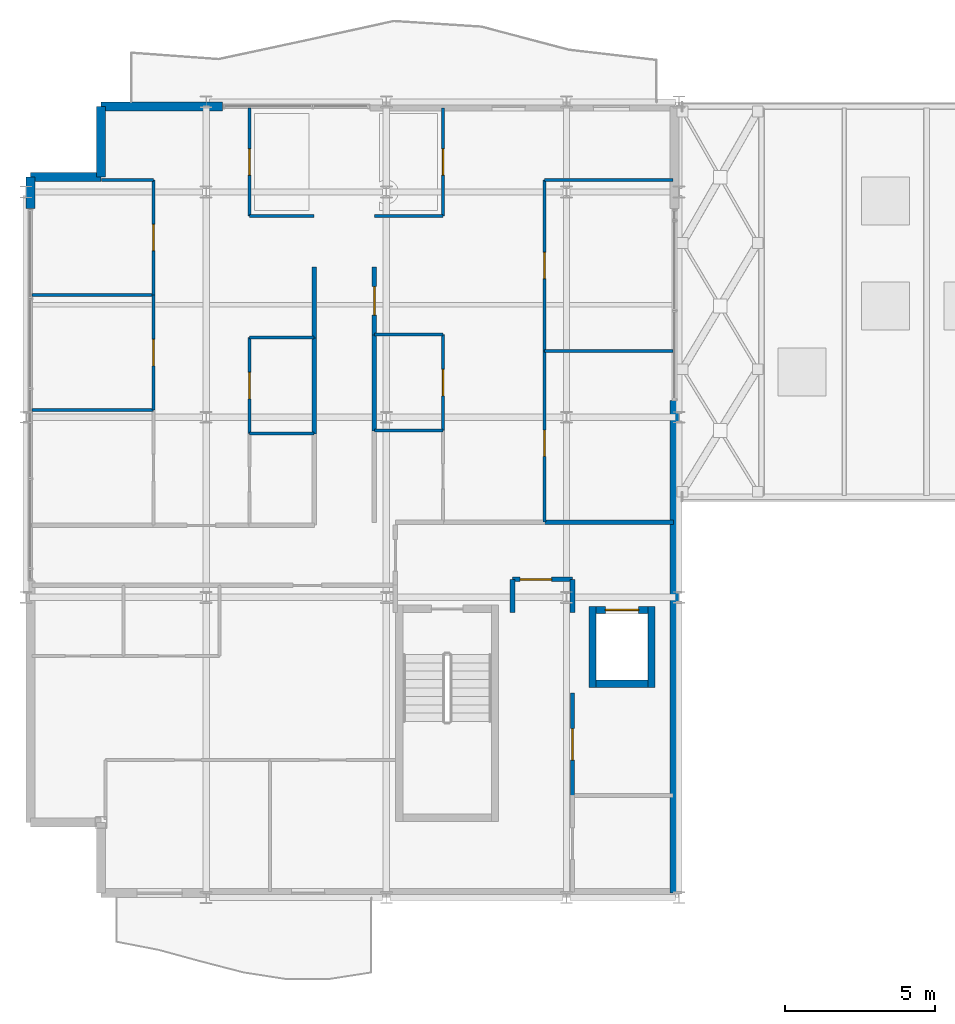
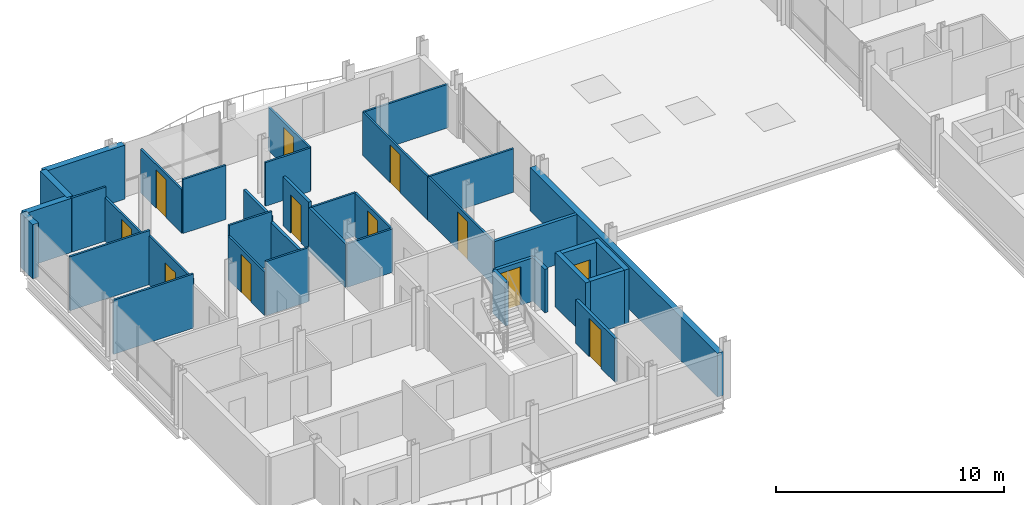
# One storey, part 28 of 33: 37 walls, 12 doors, 12 openings.
"""IFC4 building model written with IfcOpenShell, lengths in metres."""

from ifc_helpers import new_model, si_unit, direction, frame, frame_2d, origin, place, context, subcontext, project, spatial, rectangle, extrude, material, layer, layer_set, type_object, element, fill, save


model = new_model("IFC4")

# Units and contexts
model_context = context("Model", 3, precision=1e-05, world=origin(), true_north=direction((0.0, 1.0)))
body_context = subcontext(model_context, "Body", "Model", "MODEL_VIEW")
ifc_project = project(units=[si_unit("LENGTHUNIT", "METRE"), si_unit("AREAUNIT", "SQUARE_METRE"), si_unit("VOLUMEUNIT", "CUBIC_METRE"), si_unit("PLANEANGLEUNIT", "RADIAN"), si_unit("MASSUNIT", "GRAM", prefix="KILO")], contexts=[model_context])

# Site, building, storey
site_placement = place(None, origin())
site = spatial("IfcSite", under=ifc_project, at=site_placement, CompositionType="ELEMENT")
building_placement = place(site_placement, origin())
building = spatial("IfcBuilding", under=site, at=building_placement, Name="Brevholm Reach", CompositionType="ELEMENT")
storey_placement = place(building_placement, frame((0.0, 0.0, 189.39990234375)))
storey = spatial("IfcBuildingStorey", under=building, at=storey_placement, Name="L57", CompositionType="ELEMENT", Elevation=189.39990234375)

# Walls
ifc_material_1 = material(Name="Concrete C45/55", Category="concrete")
ifc_layer_1 = layer(ifc_material_1, 0.239990234375)
ifc_layer_set_1 = layer_set([ifc_layer_1], Name="Concrete C45/55")
wall_type_1 = type_object("IfcWallType", Name="WAL-COR-240", PredefinedType="SHEAR", material=ifc_layer_set_1)
for number, where, z_axis, x_axis, name in (
    (1, (18.8701171875, 7.0, 0.0), (0.0, 0.0, 1.0), (0.0, 1.0, 0.0), "L57 Lift FFL-1 Shaft Wall W"),
    (2, (20.830078125, 7.0, 0.0), (0.0, 0.0, 1.0), (0.0, 1.0, 0.0), "L57 Lift FFL-1 Shaft Wall E"),
):
    element("IfcWall", number, at=place(storey_placement, frame(where, z_axis=z_axis, x_axis=x_axis)), inside=storey, type_object=wall_type_1, Name=name, PredefinedType="SHEAR", context=body_context, shape_type="SweptSolid", body=[
        extrude(rectangle(XDim=2.699951171875, YDim=0.239990234375, at=frame_2d((1.35009765625, 0.0))), origin(), (0.0, 0.0, 1.0), 2.89013671875),
    ])
wall_1_placement = place(storey_placement, frame((18.989990234375, 7.1201171875, 0.0), z_axis=(0.0, 0.0, 1.0), x_axis=(1.0, 0.0, 0.0)))
element("IfcWall", 3, at=wall_1_placement, inside=storey, type_object=wall_type_1, Name="L57 Lift FFL-1 Shaft Wall S", PredefinedType="SHEAR", context=body_context, shape_type="SweptSolid", body=[
    extrude(rectangle(XDim=1.719970703125, YDim=0.239990234375, at=frame_2d((0.85986328125, 0.0))), origin(), (0.0, 0.0, 1.0), 2.89013671875),
])

# Wall, opening, door
wall_2_placement = place(storey_placement, frame((18.989990234375, 9.580078125, 0.0), z_axis=(0.0, 0.0, 1.0), x_axis=(1.0, 0.0, 0.0)))
wall_2 = element("IfcWall", 4, at=wall_2_placement, inside=storey, type_object=wall_type_1, Name="L57 Lift FFL-1 Shaft Wall N", PredefinedType="SHEAR", context=body_context, shape_type="SweptSolid", body=[
    extrude(rectangle(XDim=1.719970703125, YDim=0.239990234375, at=frame_2d((0.85986328125, 0.0))), origin(), (0.0, 0.0, 1.0), 2.89013671875),
])
opening_1_placement = place(wall_2_placement, frame((0.31005859375, 0.0, 0.0)))
opening_1 = element("IfcOpeningElement", 5, at=opening_1_placement, cuts=wall_2, Name="Opening LD-FFL-1", PredefinedType="OPENING", context=body_context, shape_type="SweptSolid", body=[
    extrude(rectangle(XDim=1.10009765625, YDim=2.06005859375, at=frame_2d((0.550048828125, 1.030029296875))), frame((0.0, 0.1298828125, 0.0), z_axis=(0.0, -1.0, 0.0), x_axis=(1.0, 0.0, 0.0)), (0.0, 0.0, 1.0), 0.260009765625),
])
ifc_material_2 = material(Name="Brushed Stainless Steel Fire-Rated Sliding Lift Door", Category="steel")
door_type_1 = type_object("IfcDoorType", Name="DOR-LFT-1100", OperationType="NOTDEFINED", PredefinedType="DOOR", material=ifc_material_2)
door_1_placement = place(opening_1_placement, origin())
door_1 = element("IfcDoor", 6, at=door_1_placement, inside=storey, type_object=door_type_1, Name="L57 Lift FFL-1 Sliding Landing Door", OperationType="SLIDING_TO_LEFT", OverallHeight=2.06005859375, OverallWidth=1.10009765625, PredefinedType="DOOR", context=body_context, shape_type="SweptSolid", body=[
    extrude(rectangle(XDim=1.10009765625, YDim=2.06005859375, at=frame_2d((0.550048828125, 1.030029296875))), frame((0.0, 0.02490234375, 0.0), z_axis=(0.0, -1.0, 0.0), x_axis=(1.0, 0.0, 0.0)), (0.0, 0.0, 1.0), 0.050048828125),
])
fill(opening_1, door_1)

# Walls
ifc_material_3 = material(Name="Concrete C40/50", Category="concrete")
ifc_layer_2 = layer(ifc_material_3, 0.300048828125)
ifc_layer_set_2 = layer_set([ifc_layer_2], Name="Concrete C40/50")
wall_type_2 = type_object("IfcWallType", Name="WAL-EXT-300", PredefinedType="STANDARD", material=ifc_layer_set_2)
for number, where, z_axis, x_axis, name in (
    (7, (2.5, 26.35009765625, 0.0), (0.0, 0.0, 1.0), (0.0, -1.0, 0.0), "L57 Facade Wall WAL-L57-WW-CNW1"),
    (8, (2.5, 24.0, 0.0), (0.0, 0.0, 1.0), (-1.0, 0.0, 0.0), "L57 Facade Wall WAL-L57-WW-CNW2"),
):
    element("IfcWall", number, at=place(storey_placement, frame(where, z_axis=z_axis, x_axis=x_axis)), inside=storey, type_object=wall_type_2, Name=name, PredefinedType="STANDARD", context=body_context, shape_type="SweptSolid", body=[
        extrude(rectangle(XDim=2.35009765625, YDim=0.300048828125, at=frame_2d((1.175048828125, 0.0))), origin(), (0.0, 0.0, 1.0), 2.89013671875),
    ])
wall_3_placement = place(storey_placement, frame((0.14990234375, 24.0, 0.0), z_axis=(0.0, 0.0, 1.0), x_axis=(0.0, -1.0, 0.0)))
element("IfcWall", 9, at=wall_3_placement, inside=storey, type_object=wall_type_2, Name="L57 Facade Wall WAL-L57-WW-WN", PredefinedType="STANDARD", context=body_context, shape_type="SweptSolid", body=[
    extrude(rectangle(XDim=1.050048828125, YDim=0.300048828125, at=frame_2d((0.52490234375, 0.0))), origin(), (0.0, 0.0, 1.0), 2.89013671875),
])
wall_4_placement = place(storey_placement, frame((2.5, 26.35009765625, 0.0), z_axis=(0.0, 0.0, 1.0), x_axis=(1.0, 0.0, 0.0)))
element("IfcWall", 10, at=wall_4_placement, inside=storey, type_object=wall_type_2, Name="L57 Facade Wall WAL-L57-WW-NP1", PredefinedType="STANDARD", context=body_context, shape_type="SweptSolid", body=[
    extrude(rectangle(XDim=4.050048828125, YDim=0.300048828125, at=frame_2d((2.02490234375, 0.0))), origin(), (0.0, 0.0, 1.0), 2.89013671875),
])
wall_5_placement = place(storey_placement, frame((21.60009765625, 0.14990234375, 0.0), z_axis=(0.0, 0.0, 1.0), x_axis=(0.0, 1.0, 0.0)))
element("IfcWall", 11, at=wall_5_placement, inside=storey, type_object=wall_type_2, Name="L57 Facade Wall WAL-L57-VP-WS", PredefinedType="STANDARD", context=body_context, shape_type="SweptSolid", body=[
    extrude(rectangle(XDim=16.400146484375, YDim=0.300048828125, at=frame_2d((8.2001953125, 0.0))), origin(), (0.0, 0.0, 1.0), 2.33203125),
])
ifc_material_4 = material(Name="Moisture-Resistant Acoustic Gypsum Stud Partition 100 mm", Category="gypsum")
ifc_layer_3 = layer(ifc_material_4, 0.10009765625)
ifc_layer_set_3 = layer_set([ifc_layer_3], Name="Moisture-Resistant Acoustic Gypsum Stud Partition 100 mm")
wall_type_3 = type_object("IfcWallType", Name="WAL-PRT-100", PredefinedType="PARTITIONING", material=ifc_layer_set_3)
for number, where, z_axis, x_axis, name in (
    (12, (7.43798828125, 15.449951171875, 0.0), (0.0, 0.0, 1.0), (1.0, 0.0, 0.0), "L57 Internal Partition 048"),
    (13, (7.43798828125, 18.64990234375, 0.0), (0.0, 0.0, 1.0), (1.0, 0.0, 0.0), "L57 Internal Partition 050"),
):
    element("IfcWall", number, at=place(storey_placement, frame(where, z_axis=z_axis, x_axis=x_axis)), inside=storey, type_object=wall_type_3, Name=name, PredefinedType="PARTITIONING", context=body_context, shape_type="SweptSolid", body=[
        extrude(rectangle(XDim=2.157958984375, YDim=0.10009765625, at=frame_2d((1.0791015625, 0.0))), origin(), (0.0, 0.0, 1.0), 2.89013671875),
    ])

# Wall, opening, door
wall_6_placement = place(storey_placement, frame((7.43798828125, 15.4541015625, 0.0), z_axis=(0.0, 0.0, 1.0), x_axis=(0.0, 1.0, 0.0)))
wall_6 = element("IfcWall", 14, at=wall_6_placement, inside=storey, type_object=wall_type_3, Name="L57 Internal Partition 051", PredefinedType="PARTITIONING", context=body_context, shape_type="SweptSolid", body=[
    extrude(rectangle(XDim=3.19580078125, YDim=0.10009765625, at=frame_2d((1.597900390625, 0.0))), origin(), (0.0, 0.0, 1.0), 2.32568359375),
])
opening_2_placement = place(wall_6_placement, frame((1.157958984375, 0.0, 0.0)))
opening_2 = element("IfcOpeningElement", 15, at=opening_2_placement, cuts=wall_6, Name="Opening ID-01", PredefinedType="OPENING", context=body_context, shape_type="SweptSolid", body=[
    extrude(rectangle(XDim=0.8798828125, YDim=2.0400390625, at=frame_2d((0.43994140625, 1.02001953125))), frame((0.0, 0.06005859375, 0.0), z_axis=(0.0, -1.0, 0.0), x_axis=(1.0, 0.0, 0.0)), (0.0, 0.0, 1.0), 0.1201171875),
])
ifc_material_5 = material(Name="Lacquered Ash Solid-Core Acoustic Internal Door", Category="timber")
door_type_2 = type_object("IfcDoorType", Name="DOR-INT-880", OperationType="NOTDEFINED", PredefinedType="DOOR", material=ifc_material_5)
door_2_placement = place(opening_2_placement, origin())
door_2 = element("IfcDoor", 16, at=door_2_placement, inside=storey, type_object=door_type_2, Name="L57 Internal Door 021", OperationType="SINGLE_SWING_LEFT", OverallHeight=2.0400390625, OverallWidth=0.8798828125, PredefinedType="DOOR", context=body_context, shape_type="SweptSolid", body=[
    extrude(rectangle(XDim=0.8798828125, YDim=2.0400390625, at=frame_2d((0.43994140625, 1.02001953125))), frame((0.0, 0.02490234375, 0.0), z_axis=(0.0, -1.0, 0.0), x_axis=(1.0, 0.0, 0.0)), (0.0, 0.0, 1.0), 0.050048828125),
])
fill(opening_2, door_2)

# Wall
wall_7_placement = place(storey_placement, frame((7.43798828125, 22.699951171875, 0.0), z_axis=(0.0, 0.0, 1.0), x_axis=(1.0, 0.0, 0.0)))
element("IfcWall", 17, at=wall_7_placement, inside=storey, type_object=wall_type_3, Name="L57 Internal Partition 052", PredefinedType="PARTITIONING", context=body_context, shape_type="SweptSolid", body=[
    extrude(rectangle(XDim=2.162109375, YDim=0.10009765625, at=frame_2d((1.0810546875, 0.0))), origin(), (0.0, 0.0, 1.0), 2.89013671875),
])

# Wall, opening, door
wall_8_placement = place(storey_placement, frame((7.43798828125, 22.699951171875, 0.0), z_axis=(0.0, 0.0, 1.0), x_axis=(0.0, 1.0, 0.0)))
wall_8 = element("IfcWall", 18, at=wall_8_placement, inside=storey, type_object=wall_type_3, Name="L57 Internal Partition 053", PredefinedType="PARTITIONING", context=body_context, shape_type="SweptSolid", body=[
    extrude(rectangle(XDim=3.60009765625, YDim=0.10009765625, at=frame_2d((1.800048828125, 0.0))), origin(), (0.0, 0.0, 1.0), 2.32568359375),
])
opening_3_placement = place(wall_8_placement, frame((1.360107421875, 0.0, 0.0)))
opening_3 = element("IfcOpeningElement", 19, at=opening_3_placement, cuts=wall_8, Name="Opening ID-01", PredefinedType="OPENING", context=body_context, shape_type="SweptSolid", body=[
    extrude(rectangle(XDim=0.8798828125, YDim=2.0400390625, at=frame_2d((0.43994140625, 1.02001953125))), frame((0.0, 0.06005859375, 0.0), z_axis=(0.0, -1.0, 0.0), x_axis=(1.0, 0.0, 0.0)), (0.0, 0.0, 1.0), 0.1201171875),
])
door_3_placement = place(opening_3_placement, origin())
door_3 = element("IfcDoor", 20, at=door_3_placement, inside=storey, type_object=door_type_2, Name="L57 Internal Door 022", OperationType="SINGLE_SWING_RIGHT", OverallHeight=2.0400390625, OverallWidth=0.8798828125, PredefinedType="DOOR", context=body_context, shape_type="SweptSolid", body=[
    extrude(rectangle(XDim=0.8798828125, YDim=2.0400390625, at=frame_2d((0.43994140625, 1.02001953125))), frame((0.0, 0.02490234375, 0.0), z_axis=(0.0, -1.0, 0.0), x_axis=(1.0, 0.0, 0.0)), (0.0, 0.0, 1.0), 0.050048828125),
])
fill(opening_3, door_3)

# Walls
for number, where, z_axis, x_axis, name in (
    (21, (0.199951171875, 16.23291015625, 0.0), (0.0, 0.0, 1.0), (1.0, 0.0, 0.0), "L57 Internal Partition 054"),
    (22, (0.199951171875, 20.06591796875, 0.0), (0.0, 0.0, 1.0), (1.0, 0.0, 0.0), "L57 Internal Partition 056"),
):
    element("IfcWall", number, at=place(storey_placement, frame(where, z_axis=z_axis, x_axis=x_axis)), inside=storey, type_object=wall_type_3, Name=name, PredefinedType="PARTITIONING", context=body_context, shape_type="SweptSolid", body=[
        extrude(rectangle(XDim=4.0419921875, YDim=0.10009765625, at=frame_2d((2.02099609375, 0.0))), origin(), (0.0, 0.0, 1.0), 2.89013671875),
    ])

# Wall, opening, door
wall_9_placement = place(storey_placement, frame((4.241943359375, 16.237060546875, 0.0), z_axis=(0.0, 0.0, 1.0), x_axis=(0.0, 1.0, 0.0)))
wall_9 = element("IfcWall", 23, at=wall_9_placement, inside=storey, type_object=wall_type_3, Name="L57 Internal Partition 057", PredefinedType="PARTITIONING", context=body_context, shape_type="SweptSolid", body=[
    extrude(rectangle(XDim=3.828857421875, YDim=0.10009765625, at=frame_2d((1.91455078125, 0.0))), origin(), (0.0, 0.0, 1.0), 2.61376953125),
])
opening_4_placement = place(wall_9_placement, frame((1.474609375, 0.0, 0.0)))
opening_4 = element("IfcOpeningElement", 24, at=opening_4_placement, cuts=wall_9, Name="Opening ID-01", PredefinedType="OPENING", context=body_context, shape_type="SweptSolid", body=[
    extrude(rectangle(XDim=0.8798828125, YDim=2.0400390625, at=frame_2d((0.43994140625, 1.02001953125))), frame((0.0, 0.06005859375, 0.0), z_axis=(0.0, -1.0, 0.0), x_axis=(1.0, 0.0, 0.0)), (0.0, 0.0, 1.0), 0.1201171875),
])
door_4_placement = place(opening_4_placement, origin())
door_4 = element("IfcDoor", 25, at=door_4_placement, inside=storey, type_object=door_type_2, Name="L57 Internal Door 024", OperationType="SINGLE_SWING_RIGHT", OverallHeight=2.0400390625, OverallWidth=0.8798828125, PredefinedType="DOOR", context=body_context, shape_type="SweptSolid", body=[
    extrude(rectangle(XDim=0.8798828125, YDim=2.0400390625, at=frame_2d((0.43994140625, 1.02001953125))), frame((0.0, 0.02490234375, 0.0), z_axis=(0.0, -1.0, 0.0), x_axis=(1.0, 0.0, 0.0)), (0.0, 0.0, 1.0), 0.050048828125),
])
fill(opening_4, door_4)

# Wall
wall_10_placement = place(storey_placement, frame((2.52001953125, 23.89892578125, 0.0), z_axis=(0.0, 0.0, 1.0), x_axis=(1.0, 0.0, 0.0)))
element("IfcWall", 26, at=wall_10_placement, inside=storey, type_object=wall_type_3, Name="L57 Internal Partition 058", PredefinedType="PARTITIONING", context=body_context, shape_type="SweptSolid", body=[
    extrude(rectangle(XDim=1.721923828125, YDim=0.10009765625, at=frame_2d((0.86083984375, 0.0))), origin(), (0.0, 0.0, 1.0), 2.89013671875),
])

# Wall, opening, door
wall_11_placement = place(storey_placement, frame((4.241943359375, 20.070068359375, 0.0), z_axis=(0.0, 0.0, 1.0), x_axis=(0.0, 1.0, 0.0)))
wall_11 = element("IfcWall", 27, at=wall_11_placement, inside=storey, type_object=wall_type_3, Name="L57 Internal Partition 059", PredefinedType="PARTITIONING", context=body_context, shape_type="SweptSolid", body=[
    extrude(rectangle(XDim=3.828857421875, YDim=0.10009765625, at=frame_2d((1.91455078125, 0.0))), origin(), (0.0, 0.0, 1.0), 2.32568359375),
])
opening_5_placement = place(wall_11_placement, frame((1.474609375, 0.0, 0.0)))
opening_5 = element("IfcOpeningElement", 28, at=opening_5_placement, cuts=wall_11, Name="Opening ID-01", PredefinedType="OPENING", context=body_context, shape_type="SweptSolid", body=[
    extrude(rectangle(XDim=0.8798828125, YDim=2.0400390625, at=frame_2d((0.43994140625, 1.02001953125))), frame((0.0, 0.06005859375, 0.0), z_axis=(0.0, -1.0, 0.0), x_axis=(1.0, 0.0, 0.0)), (0.0, 0.0, 1.0), 0.1201171875),
])
door_5_placement = place(opening_5_placement, origin())
door_5 = element("IfcDoor", 29, at=door_5_placement, inside=storey, type_object=door_type_2, Name="L57 Internal Door 025", OperationType="SINGLE_SWING_LEFT", OverallHeight=2.0400390625, OverallWidth=0.8798828125, PredefinedType="DOOR", context=body_context, shape_type="SweptSolid", body=[
    extrude(rectangle(XDim=0.8798828125, YDim=2.0400390625, at=frame_2d((0.43994140625, 1.02001953125))), frame((0.0, 0.02490234375, 0.0), z_axis=(0.0, -1.0, 0.0), x_axis=(1.0, 0.0, 0.0)), (0.0, 0.0, 1.0), 0.050048828125),
])
fill(opening_5, door_5)

# Wall
wall_12_placement = place(storey_placement, frame((11.60400390625, 15.550048828125, 0.0), z_axis=(0.0, 0.0, 1.0), x_axis=(1.0, 0.0, 0.0)))
element("IfcWall", 30, at=wall_12_placement, inside=storey, type_object=wall_type_3, Name="L57 Internal Partition 060", PredefinedType="PARTITIONING", context=body_context, shape_type="SweptSolid", body=[
    extrude(rectangle(XDim=2.284912109375, YDim=0.10009765625, at=frame_2d((1.142578125, 0.0))), origin(), (0.0, 0.0, 1.0), 2.32568359375),
])

# Wall, opening, door
wall_13_placement = place(storey_placement, frame((13.888916015625, 15.553955078125, 0.0), z_axis=(0.0, 0.0, 1.0), x_axis=(0.0, 1.0, 0.0)))
wall_13 = element("IfcWall", 31, at=wall_13_placement, inside=storey, type_object=wall_type_3, Name="L57 Internal Partition 062", PredefinedType="PARTITIONING", context=body_context, shape_type="SweptSolid", body=[
    extrude(rectangle(XDim=3.196044921875, YDim=0.10009765625, at=frame_2d((1.59814453125, 0.0))), origin(), (0.0, 0.0, 1.0), 2.32568359375),
])
opening_6_placement = place(wall_13_placement, frame((1.157958984375, 0.0, 0.0)))
opening_6 = element("IfcOpeningElement", 32, at=opening_6_placement, cuts=wall_13, Name="Opening ID-01", PredefinedType="OPENING", context=body_context, shape_type="SweptSolid", body=[
    extrude(rectangle(XDim=0.8798828125, YDim=2.0400390625, at=frame_2d((0.43994140625, 1.02001953125))), frame((0.0, 0.06005859375, 0.0), z_axis=(0.0, -1.0, 0.0), x_axis=(1.0, 0.0, 0.0)), (0.0, 0.0, 1.0), 0.1201171875),
])
door_6_placement = place(opening_6_placement, origin())
door_6 = element("IfcDoor", 33, at=door_6_placement, inside=storey, type_object=door_type_2, Name="L57 Internal Door 027", OperationType="SINGLE_SWING_LEFT", OverallHeight=2.0400390625, OverallWidth=0.8798828125, PredefinedType="DOOR", context=body_context, shape_type="SweptSolid", body=[
    extrude(rectangle(XDim=0.8798828125, YDim=2.0400390625, at=frame_2d((0.43994140625, 1.02001953125))), frame((0.0, 0.02490234375, 0.0), z_axis=(0.0, -1.0, 0.0), x_axis=(1.0, 0.0, 0.0)), (0.0, 0.0, 1.0), 0.050048828125),
])
fill(opening_6, door_6)

# Walls
wall_14_placement = place(storey_placement, frame((11.60400390625, 18.75, 0.0), z_axis=(0.0, 0.0, 1.0), x_axis=(1.0, 0.0, 0.0)))
element("IfcWall", 34, at=wall_14_placement, inside=storey, type_object=wall_type_3, Name="L57 Internal Partition 063", PredefinedType="PARTITIONING", context=body_context, shape_type="SweptSolid", body=[
    extrude(rectangle(XDim=2.284912109375, YDim=0.10009765625, at=frame_2d((1.142578125, 0.0))), origin(), (0.0, 0.0, 1.0), 2.32568359375),
])
wall_15_placement = place(storey_placement, frame((11.60009765625, 22.699951171875, 0.0), z_axis=(0.0, 0.0, 1.0), x_axis=(1.0, 0.0, 0.0)))
element("IfcWall", 35, at=wall_15_placement, inside=storey, type_object=wall_type_3, Name="L57 Internal Partition 064", PredefinedType="PARTITIONING", context=body_context, shape_type="SweptSolid", body=[
    extrude(rectangle(XDim=2.288818359375, YDim=0.10009765625, at=frame_2d((1.14453125, 0.0))), origin(), (0.0, 0.0, 1.0), 2.32568359375),
])

# Wall, opening, door
wall_16_placement = place(storey_placement, frame((13.888916015625, 22.699951171875, 0.0), z_axis=(0.0, 0.0, 1.0), x_axis=(0.0, 1.0, 0.0)))
wall_16 = element("IfcWall", 36, at=wall_16_placement, inside=storey, type_object=wall_type_3, Name="L57 Internal Partition 065", PredefinedType="PARTITIONING", context=body_context, shape_type="SweptSolid", body=[
    extrude(rectangle(XDim=3.60009765625, YDim=0.10009765625, at=frame_2d((1.800048828125, 0.0))), origin(), (0.0, 0.0, 1.0), 2.32568359375),
])
opening_7_placement = place(wall_16_placement, frame((1.360107421875, 0.0, 0.0)))
opening_7 = element("IfcOpeningElement", 37, at=opening_7_placement, cuts=wall_16, Name="Opening ID-01", PredefinedType="OPENING", context=body_context, shape_type="SweptSolid", body=[
    extrude(rectangle(XDim=0.8798828125, YDim=2.0400390625, at=frame_2d((0.43994140625, 1.02001953125))), frame((0.0, 0.06005859375, 0.0), z_axis=(0.0, -1.0, 0.0), x_axis=(1.0, 0.0, 0.0)), (0.0, 0.0, 1.0), 0.1201171875),
])
door_7_placement = place(opening_7_placement, origin())
door_7 = element("IfcDoor", 38, at=door_7_placement, inside=storey, type_object=door_type_2, Name="L57 Internal Door 028", OperationType="SINGLE_SWING_RIGHT", OverallHeight=2.0400390625, OverallWidth=0.8798828125, PredefinedType="DOOR", context=body_context, shape_type="SweptSolid", body=[
    extrude(rectangle(XDim=0.8798828125, YDim=2.0400390625, at=frame_2d((0.43994140625, 1.02001953125))), frame((0.0, 0.02490234375, 0.0), z_axis=(0.0, -1.0, 0.0), x_axis=(1.0, 0.0, 0.0)), (0.0, 0.0, 1.0), 0.050048828125),
])
fill(opening_7, door_7)

# Wall
wall_17_placement = place(storey_placement, frame((17.27099609375, 18.199951171875, 0.0), z_axis=(0.0, 0.0, 1.0), x_axis=(1.0, 0.0, 0.0)))
element("IfcWall", 39, at=wall_17_placement, inside=storey, type_object=wall_type_3, Name="L57 Internal Partition 066", PredefinedType="PARTITIONING", context=body_context, shape_type="SweptSolid", body=[
    extrude(rectangle(XDim=4.279052734375, YDim=0.10009765625, at=frame_2d((2.1396484375, 0.0))), origin(), (0.0, 0.0, 1.0), 2.32568359375),
])

# Wall, opening, door
wall_18_placement = place(storey_placement, frame((17.27099609375, 12.50390625, 0.0), z_axis=(0.0, 0.0, 1.0), x_axis=(0.0, 1.0, 0.0)))
wall_18 = element("IfcWall", 40, at=wall_18_placement, inside=storey, type_object=wall_type_3, Name="L57 Internal Partition 067", PredefinedType="PARTITIONING", context=body_context, shape_type="SweptSolid", body=[
    extrude(rectangle(XDim=5.696044921875, YDim=0.10009765625, at=frame_2d((2.84814453125, 0.0))), origin(), (0.0, 0.0, 1.0), 2.32568359375),
])
opening_8_placement = place(wall_18_placement, frame((2.18798828125, 0.0, 0.0)))
opening_8 = element("IfcOpeningElement", 41, at=opening_8_placement, cuts=wall_18, Name="Opening ID-01", PredefinedType="OPENING", context=body_context, shape_type="SweptSolid", body=[
    extrude(rectangle(XDim=0.8798828125, YDim=2.0400390625, at=frame_2d((0.43994140625, 1.02001953125))), frame((0.0, 0.06005859375, 0.0), z_axis=(0.0, -1.0, 0.0), x_axis=(1.0, 0.0, 0.0)), (0.0, 0.0, 1.0), 0.1201171875),
])
door_8_placement = place(opening_8_placement, origin())
door_8 = element("IfcDoor", 42, at=door_8_placement, inside=storey, type_object=door_type_2, Name="L57 Internal Door 029", OperationType="SINGLE_SWING_LEFT", OverallHeight=2.0400390625, OverallWidth=0.8798828125, PredefinedType="DOOR", context=body_context, shape_type="SweptSolid", body=[
    extrude(rectangle(XDim=0.8798828125, YDim=2.0400390625, at=frame_2d((0.43994140625, 1.02001953125))), frame((0.0, 0.02490234375, 0.0), z_axis=(0.0, -1.0, 0.0), x_axis=(1.0, 0.0, 0.0)), (0.0, 0.0, 1.0), 0.050048828125),
])
fill(opening_8, door_8)

# Wall
wall_19_placement = place(storey_placement, frame((17.27099609375, 23.89990234375, 0.0), z_axis=(0.0, 0.0, 1.0), x_axis=(1.0, 0.0, 0.0)))
element("IfcWall", 43, at=wall_19_placement, inside=storey, type_object=wall_type_3, Name="L57 Internal Partition 068", PredefinedType="PARTITIONING", context=body_context, shape_type="SweptSolid", body=[
    extrude(rectangle(XDim=4.279052734375, YDim=0.10009765625, at=frame_2d((2.1396484375, 0.0))), origin(), (0.0, 0.0, 1.0), 2.32568359375),
])

# Wall, opening, door
wall_20_placement = place(storey_placement, frame((17.27099609375, 18.2041015625, 0.0), z_axis=(0.0, 0.0, 1.0), x_axis=(0.0, 1.0, 0.0)))
wall_20 = element("IfcWall", 44, at=wall_20_placement, inside=storey, type_object=wall_type_3, Name="L57 Internal Partition 069", PredefinedType="PARTITIONING", context=body_context, shape_type="SweptSolid", body=[
    extrude(rectangle(XDim=5.69580078125, YDim=0.10009765625, at=frame_2d((2.847900390625, 0.0))), origin(), (0.0, 0.0, 1.0), 2.32568359375),
])
opening_9_placement = place(wall_20_placement, frame((2.407958984375, 0.0, 0.0)))
opening_9 = element("IfcOpeningElement", 45, at=opening_9_placement, cuts=wall_20, Name="Opening ID-01", PredefinedType="OPENING", context=body_context, shape_type="SweptSolid", body=[
    extrude(rectangle(XDim=0.8798828125, YDim=2.0400390625, at=frame_2d((0.43994140625, 1.02001953125))), frame((0.0, 0.06005859375, 0.0), z_axis=(0.0, -1.0, 0.0), x_axis=(1.0, 0.0, 0.0)), (0.0, 0.0, 1.0), 0.1201171875),
])
door_9_placement = place(opening_9_placement, origin())
door_9 = element("IfcDoor", 46, at=door_9_placement, inside=storey, type_object=door_type_2, Name="L57 Internal Door 030", OperationType="SINGLE_SWING_RIGHT", OverallHeight=2.0400390625, OverallWidth=0.8798828125, PredefinedType="DOOR", context=body_context, shape_type="SweptSolid", body=[
    extrude(rectangle(XDim=0.8798828125, YDim=2.0400390625, at=frame_2d((0.43994140625, 1.02001953125))), frame((0.0, 0.02490234375, 0.0), z_axis=(0.0, -1.0, 0.0), x_axis=(1.0, 0.0, 0.0)), (0.0, 0.0, 1.0), 0.050048828125),
])
fill(opening_9, door_9)

ifc_material_6 = material(Name="Twin-Stud Acoustic Fire-Rated Gypsum Partition 140 mm", Category="gypsum")
ifc_layer_4 = layer(ifc_material_6, 0.139892578125)
ifc_layer_set_4 = layer_set([ifc_layer_4], Name="Twin-Stud Acoustic Fire-Rated Gypsum Partition 140 mm")
wall_type_4 = type_object("IfcWallType", Name="WAL-PRT-140", PredefinedType="PARTITIONING", material=ifc_layer_set_4)
wall_21_placement = place(storey_placement, frame((18.199951171875, 3.392578125, 0.0), z_axis=(0.0, 0.0, 1.0), x_axis=(0.0, 1.0, 0.0)))
wall_21 = element("IfcWall", 47, at=wall_21_placement, inside=storey, type_object=wall_type_4, Name="L57 Internal Partition 002", PredefinedType="PARTITIONING", context=body_context, shape_type="SweptSolid", body=[
    extrude(rectangle(XDim=3.418701171875, YDim=0.139892578125, at=frame_2d((1.70947265625, 0.0))), origin(), (0.0, 0.0, 1.0), 2.32568359375),
])
opening_10_placement = place(wall_21_placement, frame((1.184326171875, 0.0, 0.0)))
opening_10 = element("IfcOpeningElement", 48, at=opening_10_placement, cuts=wall_21, Name="Opening FD-01", PredefinedType="OPENING", context=body_context, shape_type="SweptSolid", body=[
    extrude(rectangle(XDim=1.050048828125, YDim=2.06005859375, at=frame_2d((0.52490234375, 1.030029296875))), frame((0.0, 0.079833984375, 0.0), z_axis=(0.0, -1.0, 0.0), x_axis=(1.0, 0.0, 0.0)), (0.0, 0.0, 1.0), 0.159912109375),
])
ifc_material_7 = material(Name="Hardwood-Lipped Steel-Core Fire and Smoke Door", Category="steel")
door_type_3 = type_object("IfcDoorType", Name="DOR-INT-FD60S", OperationType="NOTDEFINED", PredefinedType="DOOR", material=ifc_material_7)
door_10_placement = place(opening_10_placement, origin())
door_10 = element("IfcDoor", 49, at=door_10_placement, inside=storey, type_object=door_type_3, Name="L57 Internal Door 002", OperationType="SINGLE_SWING_RIGHT", OverallHeight=2.06005859375, OverallWidth=1.050048828125, PredefinedType="DOOR", context=body_context, shape_type="SweptSolid", body=[
    extrude(rectangle(XDim=1.050048828125, YDim=2.06005859375, at=frame_2d((0.52490234375, 1.030029296875))), frame((0.0, 0.02490234375, 0.0), z_axis=(0.0, -1.0, 0.0), x_axis=(1.0, 0.0, 0.0)), (0.0, 0.0, 1.0), 0.050048828125),
])
fill(opening_10, door_10)

# Walls
wall_22_placement = place(storey_placement, frame((9.60009765625, 15.442626953125, 0.0), z_axis=(0.0, 0.0, 1.0), x_axis=(0.0, 1.0, 0.0)))
element("IfcWall", 50, at=wall_22_placement, inside=storey, type_object=wall_type_4, Name="L57 Internal Partition 025", PredefinedType="PARTITIONING", context=body_context, shape_type="SweptSolid", body=[
    extrude(rectangle(XDim=3.21875, YDim=0.139892578125, at=frame_2d((1.609375, 0.0))), origin(), (0.0, 0.0, 1.0), 2.32568359375),
])
wall_23_placement = place(storey_placement, frame((9.60009765625, 18.642578125, 0.0), z_axis=(0.0, 0.0, 1.0), x_axis=(0.0, 1.0, 0.0)))
element("IfcWall", 51, at=wall_23_placement, inside=storey, type_object=wall_type_4, Name="L57 Internal Partition 026", PredefinedType="PARTITIONING", context=body_context, shape_type="SweptSolid", body=[
    extrude(rectangle(XDim=2.357421875, YDim=0.139892578125, at=frame_2d((1.1787109375, 0.0))), origin(), (0.0, 0.0, 1.0), 2.61376953125),
])
wall_24_placement = place(storey_placement, frame((11.60009765625, 15.542724609375, 0.0), z_axis=(0.0, 0.0, 1.0), x_axis=(0.0, 1.0, 0.0)))
element("IfcWall", 52, at=wall_24_placement, inside=storey, type_object=wall_type_4, Name="L57 Internal Partition 028", PredefinedType="PARTITIONING", context=body_context, shape_type="SweptSolid", body=[
    extrude(rectangle(XDim=3.218505859375, YDim=0.139892578125, at=frame_2d((1.609375, 0.0))), origin(), (0.0, 0.0, 1.0), 2.32568359375),
])

# Wall, opening, door
wall_25_placement = place(storey_placement, frame((11.60009765625, 18.74267578125, 0.0), z_axis=(0.0, 0.0, 1.0), x_axis=(0.0, 1.0, 0.0)))
wall_25 = element("IfcWall", 53, at=wall_25_placement, inside=storey, type_object=wall_type_4, Name="L57 Internal Partition 029", PredefinedType="PARTITIONING", context=body_context, shape_type="SweptSolid", body=[
    extrude(rectangle(XDim=2.25732421875, YDim=0.139892578125, at=frame_2d((1.128662109375, 0.0))), origin(), (0.0, 0.0, 1.0), 2.61376953125),
])
opening_11_placement = place(wall_25_placement, frame((0.65380859375, 0.0, 0.0)))
opening_11 = element("IfcOpeningElement", 54, at=opening_11_placement, cuts=wall_25, Name="Opening ID-30", PredefinedType="OPENING", context=body_context, shape_type="SweptSolid", body=[
    extrude(rectangle(XDim=0.949951171875, YDim=2.050048828125, at=frame_2d((0.47509765625, 1.02490234375))), frame((0.0, 0.079833984375, 0.0), z_axis=(0.0, -1.0, 0.0), x_axis=(1.0, 0.0, 0.0)), (0.0, 0.0, 1.0), 0.159912109375),
])
ifc_material_8 = material(Name="European Oak Veneered Solid-Core Fire Entrance Door", Category="timber")
door_type_4 = type_object("IfcDoorType", Name="DOR-FLT-FD30S", OperationType="NOTDEFINED", PredefinedType="DOOR", material=ifc_material_8)
door_11_placement = place(opening_11_placement, origin())
door_11 = element("IfcDoor", 55, at=door_11_placement, inside=storey, type_object=door_type_4, Name="L57 Internal Door 011", OperationType="SINGLE_SWING_LEFT", OverallHeight=2.050048828125, OverallWidth=0.949951171875, PredefinedType="DOOR", context=body_context, shape_type="SweptSolid", body=[
    extrude(rectangle(XDim=0.949951171875, YDim=2.050048828125, at=frame_2d((0.47509765625, 1.02490234375))), frame((0.0, 0.02490234375, 0.0), z_axis=(0.0, -1.0, 0.0), x_axis=(1.0, 0.0, 0.0)), (0.0, 0.0, 1.0), 0.050048828125),
])
fill(opening_11, door_11)

# Walls
ifc_material_9 = material(Name="Twin-Frame Fire-Rated Gypsum Board and Mineral Wool 160 mm", Category="gypsum")
ifc_layer_5 = layer(ifc_material_9, 0.159912109375)
ifc_layer_set_5 = layer_set([ifc_layer_5], Name="Twin-Frame Fire-Rated Gypsum Board and Mineral Wool 160 mm")
wall_type_5 = type_object("IfcWallType", Name="WAL-PRT-160", PredefinedType="PARTITIONING", material=ifc_layer_set_5)
for number, where, z_axis, x_axis, name in (
    (56, (16.199951171875, 9.48876953125, 0.0), (0.0, 0.0, 1.0), (0.0, 1.0, 0.0), "L57 Internal Partition 003"),
    (57, (18.199951171875, 9.48876953125, 0.0), (0.0, 0.0, 1.0), (0.0, 1.0, 0.0), "L57 Internal Partition 004"),
):
    element("IfcWall", number, at=place(storey_placement, frame(where, z_axis=z_axis, x_axis=x_axis)), inside=storey, type_object=wall_type_5, Name=name, PredefinedType="PARTITIONING", context=body_context, shape_type="SweptSolid", body=[
        extrude(rectangle(XDim=1.111328125, YDim=0.159912109375, at=frame_2d((0.5556640625, 0.0))), origin(), (0.0, 0.0, 1.0), 2.32568359375),
    ])

# Wall, opening, door
wall_26_placement = place(storey_placement, frame((16.199951171875, 10.60009765625, 0.0), z_axis=(0.0, 0.0, 1.0), x_axis=(1.0, 0.0, 0.0)))
wall_26 = element("IfcWall", 58, at=wall_26_placement, inside=storey, type_object=wall_type_5, Name="L57 Internal Partition 005", PredefinedType="PARTITIONING", context=body_context, shape_type="SweptSolid", body=[
    extrude(rectangle(XDim=2.0, YDim=0.159912109375, at=frame_2d((1.0, 0.0))), origin(), (0.0, 0.0, 1.0), 2.32568359375),
])
opening_12_placement = place(wall_26_placement, frame((0.2548828125, 0.0, 0.0)))
opening_12 = element("IfcOpeningElement", 59, at=opening_12_placement, cuts=wall_26, Name="Opening FD-01", PredefinedType="OPENING", context=body_context, shape_type="SweptSolid", body=[
    extrude(rectangle(XDim=1.050048828125, YDim=2.06005859375, at=frame_2d((0.52490234375, 1.030029296875))), frame((0.0, 0.08984375, 0.0), z_axis=(0.0, -1.0, 0.0), x_axis=(1.0, 0.0, 0.0)), (0.0, 0.0, 1.0), 0.179931640625),
])
door_12_placement = place(opening_12_placement, origin())
door_12 = element("IfcDoor", 60, at=door_12_placement, inside=storey, type_object=door_type_3, Name="L57 Internal Door 003", OperationType="SINGLE_SWING_LEFT", OverallHeight=2.06005859375, OverallWidth=1.050048828125, PredefinedType="DOOR", context=body_context, shape_type="SweptSolid", body=[
    extrude(rectangle(XDim=1.050048828125, YDim=2.06005859375, at=frame_2d((0.52490234375, 1.030029296875))), frame((0.0, 0.02490234375, 0.0), z_axis=(0.0, -1.0, 0.0), x_axis=(1.0, 0.0, 0.0)), (0.0, 0.0, 1.0), 0.050048828125),
])
fill(opening_12, door_12)

# Wall
wall_27_placement = place(storey_placement, frame((17.259765625, 12.5, 0.0), z_axis=(0.0, 0.0, 1.0), x_axis=(1.0, 0.0, 0.0)))
element("IfcWall", 61, at=wall_27_placement, inside=storey, type_object=wall_type_5, Name="L57 Internal Partition 016", PredefinedType="PARTITIONING", context=body_context, shape_type="SweptSolid", body=[
    extrude(rectangle(XDim=4.301513671875, YDim=0.159912109375, at=frame_2d((2.15087890625, 0.0))), origin(), (0.0, 0.0, 1.0), 2.32568359375),
])

save(model, "model.ifc")
